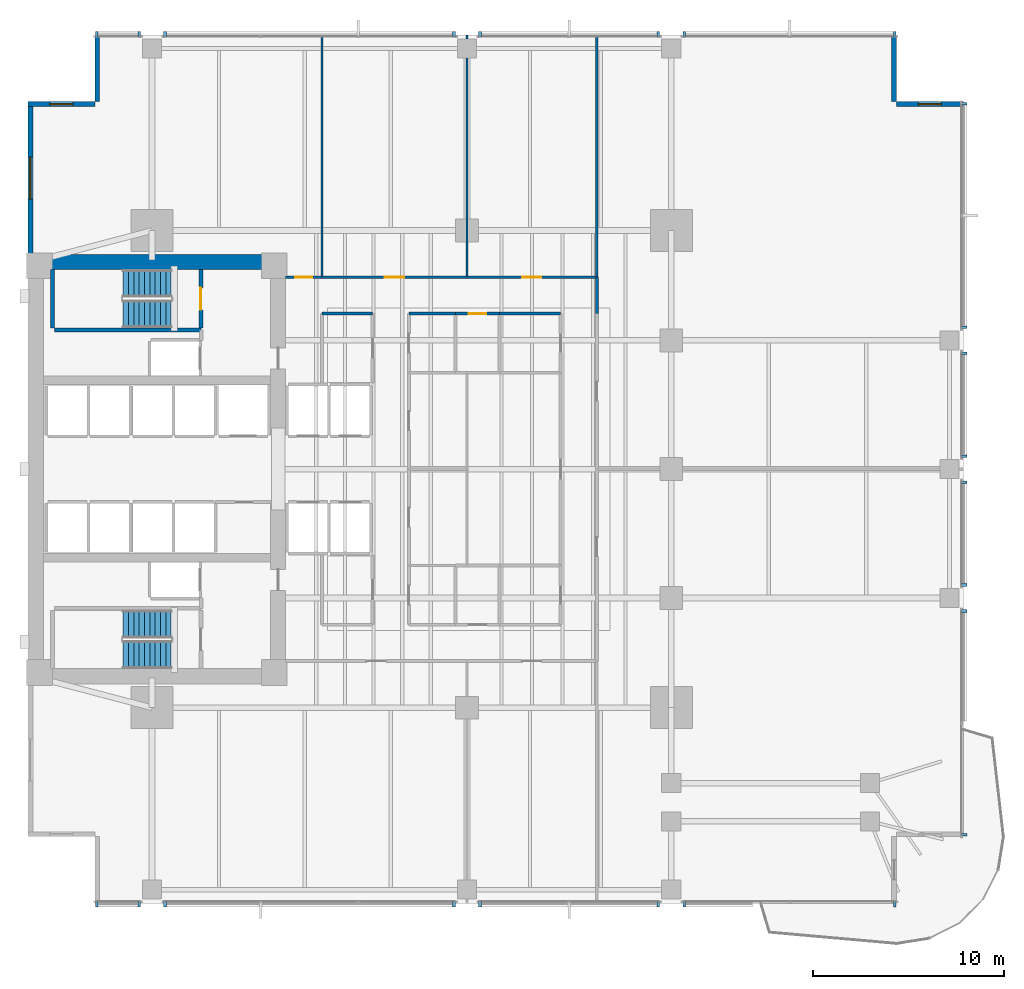
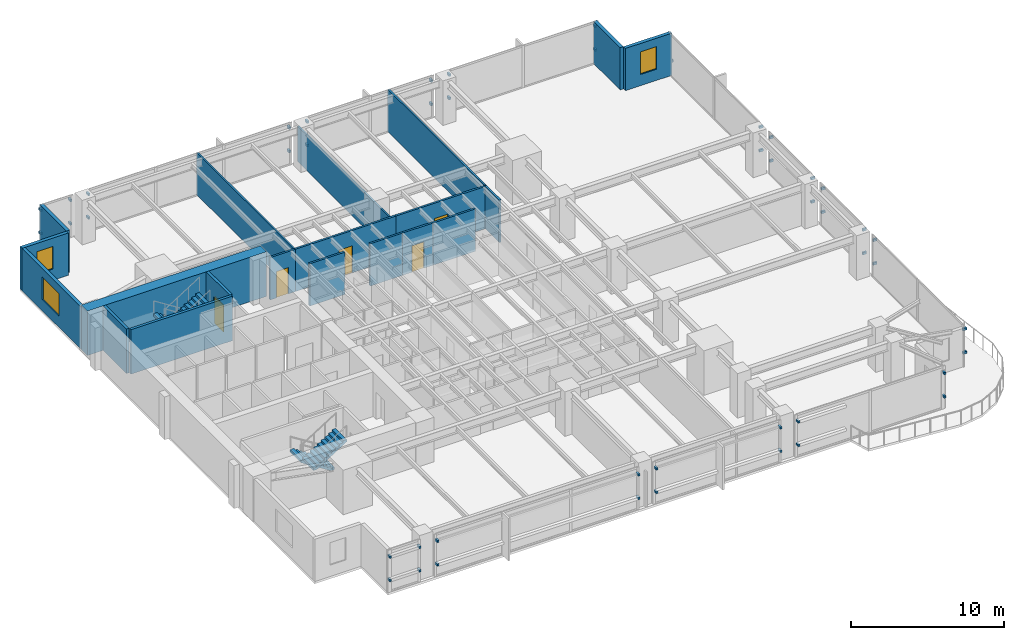
# One storey, part 10 of 15: 47 discrete accessories, 20 walls, 5 doors, 4 stair flights, 3 windows, 8 openings, 2 elements without a shape of their own.
"""IFC4 building model written with IfcOpenShell, lengths in metres."""

from ifc_helpers import new_model, si_unit, direction, frame, frame_2d, origin, origin_2d, place, context, subcontext, project, spatial, polyline, rectangle, outline, extrude, material, layer, layer_set, type_object, element, fill, aggregate, save


model = new_model("IFC4")

# Units and contexts
model_context = context("Model", 3, precision=1e-05, world=origin(), true_north=direction((0.0, 1.0)))
body_context = subcontext(model_context, "Body", "Model", "MODEL_VIEW")
ifc_project = project(units=[si_unit("LENGTHUNIT", "METRE"), si_unit("AREAUNIT", "SQUARE_METRE"), si_unit("VOLUMEUNIT", "CUBIC_METRE"), si_unit("PLANEANGLEUNIT", "RADIAN"), si_unit("MASSUNIT", "GRAM", prefix="KILO")], contexts=[model_context])

# Site, building, storey
site_placement = place(None, origin())
site = spatial("IfcSite", under=ifc_project, at=site_placement, CompositionType="ELEMENT")
building_placement = place(site_placement, origin())
building = spatial("IfcBuilding", under=site, at=building_placement, Name="Kinhvarn Gate Tower", CompositionType="ELEMENT")
storey_placement = place(building_placement, frame((0.0, 0.0, 39.800048828125)))
storey = spatial("IfcBuildingStorey", under=building, at=storey_placement, Name="L09", CompositionType="ELEMENT", Elevation=39.800048828125)

# Wall
ifc_material_1 = material(Name="Concrete C70/85", Category="concrete")
ifc_layer_1 = layer(ifc_material_1, 0.800048828125)
ifc_layer_set_1 = layer_set([ifc_layer_1], Name="Concrete C70/85")
wall_type_1 = type_object("IfcWallType", Name="WL-CORE-800", PredefinedType="SHEAR", material=ifc_layer_set_1)
wall_1_placement = place(storey_placement, frame((4.5, 36.10009765625, 0.0), z_axis=(0.0, 0.0, 1.0), x_axis=(1.0, 0.0, 0.0)))
element("IfcWall", 1, at=wall_1_placement, inside=storey, type_object=wall_type_1, Name="Core North Shear Wall L09 800 mm", PredefinedType="SHEAR", context=body_context, shape_type="SweptSolid", body=[
    extrude(rectangle(XDim=13.5, YDim=0.800048828125, at=frame_2d((6.75, 0.0))), origin(), (0.0, 0.0, 1.0), 3.550048828125),
])

# Wall, opening, window
ifc_material_2 = material(Name="Fired architectural terracotta", Category="masonry")
ifc_layer_2 = layer(ifc_material_2, 0.25)
ifc_layer_set_2 = layer_set([ifc_layer_2], Name="Fired architectural terracotta")
wall_type_2 = type_object("IfcWallType", Name="WL-EXT-250", PredefinedType="SOLIDWALL", material=ifc_layer_set_2)
wall_2_placement = place(storey_placement, frame((4.625, 44.5, 0.0), z_axis=(0.0, 0.0, 1.0), x_axis=(0.0, -1.0, 0.0)))
wall_2 = element("IfcWall", 2, at=wall_2_placement, inside=storey, type_object=wall_type_2, Name="Exterior Solidwall Wall EW-250 (L09 West-North)", PredefinedType="SOLIDWALL", context=body_context, shape_type="SweptSolid", body=[
    extrude(rectangle(XDim=8.0, YDim=0.25, at=frame_2d((4.0, 0.0))), origin(), (0.0, 0.0, 1.0), 3.369873046875),
])
opening_1_placement = place(wall_2_placement, frame((2.89990234375, 0.0, 0.89990234375)))
opening_1 = element("IfcOpeningElement", 3, at=opening_1_placement, cuts=wall_2, Name="Opening WN-01", PredefinedType="OPENING", context=body_context, shape_type="SweptSolid", body=[
    extrude(rectangle(XDim=2.199951171875, YDim=1.800048828125, at=frame_2d((1.10009765625, 0.89990234375))), frame((0.0, 0.135009765625, 0.0), z_axis=(0.0, -1.0, 0.0), x_axis=(1.0, 0.0, 0.0)), (0.0, 0.0, 1.0), 0.27001953125),
])
ifc_material_3 = material(Name="Clear low-e double glazing", Category="glass")
window_type_1 = type_object("IfcWindowType", Name="WIN-RIB-2200", PartitioningType="SINGLE_PANEL", PredefinedType="WINDOW", material=ifc_material_3)
window_1_placement = place(opening_1_placement, origin())
window_1 = element("IfcWindow", 4, at=window_1_placement, inside=storey, type_object=window_type_1, Name="West Flank Double-Glazed Ribbon Window 2200x1800 mm (L09)", OverallHeight=1.800048828125, OverallWidth=2.199951171875, PartitioningType="SINGLE_PANEL", PredefinedType="WINDOW", context=body_context, shape_type="SweptSolid", body=[
    extrude(rectangle(XDim=2.199951171875, YDim=1.800048828125, at=frame_2d((1.10009765625, 0.89990234375))), frame((0.0, 0.030029296875, 0.0), z_axis=(0.0, -1.0, 0.0), x_axis=(1.0, 0.0, 0.0)), (0.0, 0.0, 1.0), 0.06005859375),
])
fill(opening_1, window_1)

wall_3_placement = place(storey_placement, frame((53.5, 44.375, 0.0), z_axis=(0.0, 0.0, 1.0), x_axis=(-1.0, 0.0, 0.0)))
wall_3 = element("IfcWall", 5, at=wall_3_placement, inside=storey, type_object=wall_type_2, Name="Exterior Solidwall Wall EW-250 (L09 NE-Notch-1)", PredefinedType="SOLIDWALL", context=body_context, shape_type="SweptSolid", body=[
    extrude(rectangle(XDim=3.5, YDim=0.25, at=frame_2d((1.75, 0.0))), origin(), (0.0, 0.0, 1.0), 3.369873046875),
])
opening_2_placement = place(wall_3_placement, frame((1.14990234375, 0.0, 0.89990234375)))
opening_2 = element("IfcOpeningElement", 6, at=opening_2_placement, cuts=wall_3, Name="Opening WN-02", PredefinedType="OPENING", context=body_context, shape_type="SweptSolid", body=[
    extrude(rectangle(XDim=1.199951171875, YDim=1.800048828125, at=frame_2d((0.60009765625, 0.89990234375))), frame((0.0, 0.135009765625, 0.0), z_axis=(0.0, -1.0, 0.0), x_axis=(1.0, 0.0, 0.0)), (0.0, 0.0, 1.0), 0.27001953125),
])
window_type_2 = type_object("IfcWindowType", Name="WIN-NTC-1200", PartitioningType="SINGLE_PANEL", PredefinedType="WINDOW", material=ifc_material_3)
window_2_placement = place(opening_2_placement, origin())
window_2 = element("IfcWindow", 7, at=window_2_placement, inside=storey, type_object=window_type_2, Name="Recessed Corner Notch Punched Window 1200x1800 mm (L09)", OverallHeight=1.800048828125, OverallWidth=1.199951171875, PartitioningType="SINGLE_PANEL", PredefinedType="WINDOW", context=body_context, shape_type="SweptSolid", body=[
    extrude(rectangle(XDim=1.199951171875, YDim=1.800048828125, at=frame_2d((0.60009765625, 0.89990234375))), frame((0.0, 0.030029296875, 0.0), z_axis=(0.0, -1.0, 0.0), x_axis=(1.0, 0.0, 0.0)), (0.0, 0.0, 1.0), 0.06005859375),
])
fill(opening_2, window_2)

# Walls
for number, where, z_axis, x_axis, name in (
    (8, (49.875, 44.5, 0.0), (0.0, 0.0, 1.0), (0.0, 1.0, 0.0), "Exterior Solidwall Wall EW-250 (L09 NE-Notch-2)"),
    (9, (8.125, 48.0, 0.0), (0.0, 0.0, 1.0), (0.0, -1.0, 0.0), "Exterior Solidwall Wall EW-250 (L09 NW-Notch-1)"),
):
    element("IfcWall", number, at=place(storey_placement, frame(where, z_axis=z_axis, x_axis=x_axis)), inside=storey, type_object=wall_type_2, Name=name, PredefinedType="SOLIDWALL", context=body_context, shape_type="SweptSolid", body=[
        extrude(rectangle(XDim=3.5, YDim=0.25, at=frame_2d((1.75, 0.0))), origin(), (0.0, 0.0, 1.0), 3.369873046875),
    ])

# Wall, opening, window
wall_4_placement = place(storey_placement, frame((8.0, 44.375, 0.0), z_axis=(0.0, 0.0, 1.0), x_axis=(-1.0, 0.0, 0.0)))
wall_4 = element("IfcWall", 10, at=wall_4_placement, inside=storey, type_object=wall_type_2, Name="Exterior Solidwall Wall EW-250 (L09 NW-Notch-2)", PredefinedType="SOLIDWALL", context=body_context, shape_type="SweptSolid", body=[
    extrude(rectangle(XDim=3.5, YDim=0.25, at=frame_2d((1.75, 0.0))), origin(), (0.0, 0.0, 1.0), 3.369873046875),
])
opening_3_placement = place(wall_4_placement, frame((1.14990234375, 0.0, 0.89990234375)))
opening_3 = element("IfcOpeningElement", 11, at=opening_3_placement, cuts=wall_4, Name="Opening WN-02", PredefinedType="OPENING", context=body_context, shape_type="SweptSolid", body=[
    extrude(rectangle(XDim=1.199951171875, YDim=1.800048828125, at=frame_2d((0.60009765625, 0.89990234375))), frame((0.0, 0.135009765625, 0.0), z_axis=(0.0, -1.0, 0.0), x_axis=(1.0, 0.0, 0.0)), (0.0, 0.0, 1.0), 0.27001953125),
])
window_3_placement = place(opening_3_placement, origin())
window_3 = element("IfcWindow", 12, at=window_3_placement, inside=storey, type_object=window_type_2, Name="Recessed Corner Notch Punched Window 1200x1800 mm (L09)", OverallHeight=1.800048828125, OverallWidth=1.199951171875, PartitioningType="SINGLE_PANEL", PredefinedType="WINDOW", context=body_context, shape_type="SweptSolid", body=[
    extrude(rectangle(XDim=1.199951171875, YDim=1.800048828125, at=frame_2d((0.60009765625, 0.89990234375))), frame((0.0, 0.030029296875, 0.0), z_axis=(0.0, -1.0, 0.0), x_axis=(1.0, 0.0, 0.0)), (0.0, 0.0, 1.0), 0.06005859375),
])
fill(opening_3, window_3)

# Wall
ifc_material_4 = material(Name="Gypsum acoustic partition board")
ifc_layer_3 = layer(ifc_material_4, 0.14990234375)
ifc_layer_set_3 = layer_set([ifc_layer_3], Name="Gypsum acoustic partition board")
wall_type_3 = type_object("IfcWallType", Name="WL-PLM-150F", PredefinedType="PLUMBINGWALL", material=ifc_layer_set_3)
wall_5_placement = place(storey_placement, frame((29.199951171875, 33.39990234375, 0.0), z_axis=(0.0, 0.0, 1.0), x_axis=(1.0, 0.0, 0.0)))
element("IfcWall", 13, at=wall_5_placement, inside=storey, type_object=wall_type_3, Name="Interior Partition PLW-150F (L09)", PredefinedType="PLUMBINGWALL", context=body_context, shape_type="SweptSolid", body=[
    extrude(rectangle(XDim=3.199951171875, YDim=0.14990234375, at=frame_2d((1.60009765625, 0.0))), origin(), (0.0, 0.0, 1.0), 3.369873046875),
])

# Wall, opening, door
wall_6_placement = place(storey_placement, frame((26.89990234375, 33.39990234375, 0.0), z_axis=(0.0, 0.0, 1.0), x_axis=(1.0, 0.0, 0.0)))
wall_6 = element("IfcWall", 14, at=wall_6_placement, inside=storey, type_object=wall_type_3, Name="Interior Partition PLW-150F (L09)", PredefinedType="PLUMBINGWALL", context=body_context, shape_type="SweptSolid", body=[
    extrude(rectangle(XDim=2.300048828125, YDim=0.14990234375, at=frame_2d((1.14990234375, 0.0))), origin(), (0.0, 0.0, 1.0), 3.369873046875),
])
opening_4_placement = place(wall_6_placement, frame((0.699951171875, 0.0, 0.0)))
opening_4 = element("IfcOpeningElement", 15, at=opening_4_placement, cuts=wall_6, Name="Opening FD-04", PredefinedType="OPENING", context=body_context, shape_type="SweptSolid", body=[
    extrude(rectangle(XDim=0.89990234375, YDim=2.10009765625, at=frame_2d((0.449951171875, 1.050048828125))), frame((0.0, 0.0849609375, 0.0), z_axis=(0.0, -1.0, 0.0), x_axis=(1.0, 0.0, 0.0)), (0.0, 0.0, 1.0), 0.169921875),
])
ifc_material_5 = material(Name="Anodised aluminium AW-6063", Category="aluminium")
door_type_1 = type_object("IfcDoorType", Name="DR-FD-900", OperationType="NOTDEFINED", PredefinedType="DOOR", material=ifc_material_5)
door_1_placement = place(opening_4_placement, origin())
door_1 = element("IfcDoor", 16, at=door_1_placement, inside=storey, type_object=door_type_1, Name="Rated Riser & Service Closet Fire Door 900x2100 mm (L09)", OperationType="SINGLE_SWING_RIGHT", OverallHeight=2.10009765625, OverallWidth=0.89990234375, PredefinedType="DOOR", context=body_context, shape_type="SweptSolid", body=[
    extrude(rectangle(XDim=0.89990234375, YDim=2.10009765625, at=frame_2d((0.449951171875, 1.050048828125))), frame((0.0, 0.02490234375, 0.0), z_axis=(0.0, -1.0, 0.0), x_axis=(1.0, 0.0, 0.0)), (0.0, 0.0, 1.0), 0.050048828125),
])
fill(opening_4, door_1)

# Walls
ifc_layer_4 = layer(ifc_material_4, 0.1201171875)
ifc_layer_set_4 = layer_set([ifc_layer_4], Name="Gypsum acoustic partition board")
wall_type_4 = type_object("IfcWallType", Name="WL-PRT-120", PredefinedType="PARTITIONING", material=ifc_layer_set_4)
wall_7_placement = place(storey_placement, frame((19.89990234375, 35.300048828125, 0.0), z_axis=(0.0, 0.0, 1.0), x_axis=(0.0, 1.0, 0.0)))
element("IfcWall", 17, at=wall_7_placement, inside=storey, type_object=wall_type_4, Name="Interior Partition PW-120 (L09)", PredefinedType="PARTITIONING", context=body_context, shape_type="SweptSolid", body=[
    extrude(rectangle(XDim=12.68994140625, YDim=0.1201171875, at=frame_2d((6.344970703125, 0.0))), origin(), (0.0, 0.0, 1.0), 3.369873046875),
])
wall_8_placement = place(storey_placement, frame((27.5, 35.300048828125, 0.0), z_axis=(0.0, 0.0, 1.0), x_axis=(0.0, 1.0, 0.0)))
element("IfcWall", 18, at=wall_8_placement, inside=storey, type_object=wall_type_4, Name="Interior Partition PW-120 (L09)", PredefinedType="PARTITIONING", context=body_context, shape_type="SweptSolid", body=[
    extrude(rectangle(XDim=12.68994140625, YDim=0.1201171875, at=frame_2d((6.344970703125, 0.0))), origin(), (0.0, 0.0, 1.0), 2.820068359375),
])
wall_9_placement = place(storey_placement, frame((34.300048828125, 35.300048828125, 0.0), z_axis=(0.0, 0.0, 1.0), x_axis=(0.0, 1.0, 0.0)))
element("IfcWall", 19, at=wall_9_placement, inside=storey, type_object=wall_type_4, Name="Interior Partition PW-120 (L09)", PredefinedType="PARTITIONING", context=body_context, shape_type="SweptSolid", body=[
    extrude(rectangle(XDim=12.68994140625, YDim=0.1201171875, at=frame_2d((6.344970703125, 0.0))), origin(), (0.0, 0.0, 1.0), 3.369873046875),
])
ifc_layer_5 = layer(ifc_material_4, 0.14990234375)
ifc_layer_set_5 = layer_set([ifc_layer_5], Name="Gypsum acoustic partition board")
wall_type_5 = type_object("IfcWallType", Name="WL-PRT-150F", PredefinedType="PARTITIONING", material=ifc_layer_set_5)
wall_10_placement = place(storey_placement, frame((19.89990234375, 33.39990234375, 0.0), z_axis=(0.0, 0.0, 1.0), x_axis=(1.0, 0.0, 0.0)))
element("IfcWall", 20, at=wall_10_placement, inside=storey, type_object=wall_type_5, Name="Interior Partition PW-150F (L09)", PredefinedType="PARTITIONING", context=body_context, shape_type="SweptSolid", body=[
    extrude(rectangle(XDim=2.650146484375, YDim=0.14990234375, at=frame_2d((1.3251953125, 0.0))), origin(), (0.0, 0.0, 1.0), 3.369873046875),
])
wall_11_placement = place(storey_placement, frame((24.449951171875, 33.39990234375, 0.0), z_axis=(0.0, 0.0, 1.0), x_axis=(1.0, 0.0, 0.0)))
element("IfcWall", 21, at=wall_11_placement, inside=storey, type_object=wall_type_5, Name="Interior Partition PW-150F (L09)", PredefinedType="PARTITIONING", context=body_context, shape_type="SweptSolid", body=[
    extrude(rectangle(XDim=2.449951171875, YDim=0.14990234375, at=frame_2d((1.22509765625, 0.0))), origin(), (0.0, 0.0, 1.0), 3.369873046875),
])

# Wall, opening, door
wall_12_placement = place(storey_placement, frame((18.0, 35.300048828125, 0.0), z_axis=(0.0, 0.0, 1.0), x_axis=(1.0, 0.0, 0.0)))
wall_12 = element("IfcWall", 22, at=wall_12_placement, inside=storey, type_object=wall_type_5, Name="Interior Partition PW-150F (L09)", PredefinedType="PARTITIONING", context=body_context, shape_type="SweptSolid", body=[
    extrude(rectangle(XDim=1.89990234375, YDim=0.14990234375, at=frame_2d((0.949951171875, 0.0))), origin(), (0.0, 0.0, 1.0), 3.369873046875),
])
opening_5_placement = place(wall_12_placement, frame((0.5, 0.0, 0.0)))
opening_5 = element("IfcOpeningElement", 23, at=opening_5_placement, cuts=wall_12, Name="Opening ID-03", PredefinedType="OPENING", context=body_context, shape_type="SweptSolid", body=[
    extrude(rectangle(XDim=0.89990234375, YDim=2.10009765625, at=frame_2d((0.449951171875, 1.050048828125))), frame((0.0, 0.0849609375, 0.0), z_axis=(0.0, -1.0, 0.0), x_axis=(1.0, 0.0, 0.0)), (0.0, 0.0, 1.0), 0.169921875),
])
door_type_2 = type_object("IfcDoorType", Name="DR-INT-900", OperationType="NOTDEFINED", PredefinedType="DOOR", material=ifc_material_5)
door_2_placement = place(opening_5_placement, origin())
door_2 = element("IfcDoor", 24, at=door_2_placement, inside=storey, type_object=door_type_2, Name="Cellular Office & Restroom Door 900x2100 mm (L09)", OperationType="SINGLE_SWING_LEFT", OverallHeight=2.10009765625, OverallWidth=0.89990234375, PredefinedType="DOOR", context=body_context, shape_type="SweptSolid", body=[
    extrude(rectangle(XDim=0.89990234375, YDim=2.10009765625, at=frame_2d((0.449951171875, 1.050048828125))), frame((0.0, 0.02490234375, 0.0), z_axis=(0.0, -1.0, 0.0), x_axis=(1.0, 0.0, 0.0)), (0.0, 0.0, 1.0), 0.050048828125),
])
fill(opening_5, door_2)

wall_13_placement = place(storey_placement, frame((19.89990234375, 35.300048828125, 0.0), z_axis=(0.0, 0.0, 1.0), x_axis=(1.0, 0.0, 0.0)))
wall_13 = element("IfcWall", 25, at=wall_13_placement, inside=storey, type_object=wall_type_5, Name="Interior Partition PW-150F (L09)", PredefinedType="PARTITIONING", context=body_context, shape_type="SweptSolid", body=[
    extrude(rectangle(XDim=7.60009765625, YDim=0.14990234375, at=frame_2d((3.800048828125, 0.0))), origin(), (0.0, 0.0, 1.0), 3.369873046875),
])
opening_6_placement = place(wall_13_placement, frame((3.300048828125, 0.0, 0.0)))
opening_6 = element("IfcOpeningElement", 26, at=opening_6_placement, cuts=wall_13, Name="Opening ID-02", PredefinedType="OPENING", context=body_context, shape_type="SweptSolid", body=[
    extrude(rectangle(XDim=1.0, YDim=2.14990234375, at=frame_2d((0.5, 1.074951171875))), frame((0.0, 0.0849609375, 0.0), z_axis=(0.0, -1.0, 0.0), x_axis=(1.0, 0.0, 0.0)), (0.0, 0.0, 1.0), 0.169921875),
])
door_type_3 = type_object("IfcDoorType", Name="DR-INT-1000", OperationType="NOTDEFINED", PredefinedType="DOOR", material=ifc_material_5)
door_3_placement = place(opening_6_placement, origin())
door_3 = element("IfcDoor", 27, at=door_3_placement, inside=storey, type_object=door_type_3, Name="Standard Office & Meeting Room Door 1000x2150 mm (L09)", OperationType="SINGLE_SWING_RIGHT", OverallHeight=2.14990234375, OverallWidth=1.0, PredefinedType="DOOR", context=body_context, shape_type="SweptSolid", body=[
    extrude(rectangle(XDim=1.0, YDim=2.14990234375, at=frame_2d((0.5, 1.074951171875))), frame((0.0, 0.02490234375, 0.0), z_axis=(0.0, -1.0, 0.0), x_axis=(1.0, 0.0, 0.0)), (0.0, 0.0, 1.0), 0.050048828125),
])
fill(opening_6, door_3)

wall_14_placement = place(storey_placement, frame((27.5, 35.300048828125, 0.0), z_axis=(0.0, 0.0, 1.0), x_axis=(1.0, 0.0, 0.0)))
wall_14 = element("IfcWall", 28, at=wall_14_placement, inside=storey, type_object=wall_type_5, Name="Interior Partition PW-150F (L09)", PredefinedType="PARTITIONING", context=body_context, shape_type="SweptSolid", body=[
    extrude(rectangle(XDim=6.800048828125, YDim=0.14990234375, at=frame_2d((3.39990234375, 0.0))), origin(), (0.0, 0.0, 1.0), 3.369873046875),
])
opening_7_placement = place(wall_14_placement, frame((2.89990234375, 0.0, 0.0)))
opening_7 = element("IfcOpeningElement", 29, at=opening_7_placement, cuts=wall_14, Name="Opening ID-02", PredefinedType="OPENING", context=body_context, shape_type="SweptSolid", body=[
    extrude(rectangle(XDim=1.0, YDim=2.14990234375, at=frame_2d((0.5, 1.074951171875))), frame((0.0, 0.0849609375, 0.0), z_axis=(0.0, -1.0, 0.0), x_axis=(1.0, 0.0, 0.0)), (0.0, 0.0, 1.0), 0.169921875),
])
door_4_placement = place(opening_7_placement, origin())
door_4 = element("IfcDoor", 30, at=door_4_placement, inside=storey, type_object=door_type_3, Name="Standard Office & Meeting Room Door 1000x2150 mm (L09)", OperationType="SINGLE_SWING_LEFT", OverallHeight=2.14990234375, OverallWidth=1.0, PredefinedType="DOOR", context=body_context, shape_type="SweptSolid", body=[
    extrude(rectangle(XDim=1.0, YDim=2.14990234375, at=frame_2d((0.5, 1.074951171875))), frame((0.0, 0.02490234375, 0.0), z_axis=(0.0, -1.0, 0.0), x_axis=(1.0, 0.0, 0.0)), (0.0, 0.0, 1.0), 0.050048828125),
])
fill(opening_7, door_4)

# Walls
wall_15_placement = place(storey_placement, frame((34.300048828125, 33.39990234375, 0.0), z_axis=(0.0, 0.0, 1.0), x_axis=(0.0, 1.0, 0.0)))
element("IfcWall", 31, at=wall_15_placement, inside=storey, type_object=wall_type_5, Name="Interior Partition PW-150F (L09)", PredefinedType="PARTITIONING", context=body_context, shape_type="SweptSolid", body=[
    extrude(rectangle(XDim=1.900146484375, YDim=0.14990234375, at=frame_2d((0.9501953125, 0.0))), origin(), (0.0, 0.0, 1.0), 3.369873046875),
])
ifc_material_6 = material(Name="Concrete C40/50", Category="concrete")
ifc_layer_6 = layer(ifc_material_6, 0.199951171875)
ifc_layer_set_6 = layer_set([ifc_layer_6], Name="Concrete C40/50")
wall_type_6 = type_object("IfcWallType", Name="WL-SHF-200", PredefinedType="SOLIDWALL", material=ifc_layer_set_6)
wall_16_placement = place(storey_placement, frame((5.7900390625, 32.64990234375, 0.0), z_axis=(0.0, 0.0, 1.0), x_axis=(0.0, 1.0, 0.0)))
element("IfcWall", 32, at=wall_16_placement, inside=storey, type_object=wall_type_6, Name="Stair ST2 West Shaft Wall (L09)", PredefinedType="SOLIDWALL", context=body_context, shape_type="SweptSolid", body=[
    extrude(rectangle(XDim=3.050048828125, YDim=0.199951171875, at=frame_2d((1.52490234375, 0.0))), origin(), (0.0, 0.0, 1.0), 3.550048828125),
])
wall_17_placement = place(storey_placement, frame((5.89990234375, 32.5400390625, 0.0), z_axis=(0.0, 0.0, 1.0), x_axis=(1.0, 0.0, 0.0)))
element("IfcWall", 33, at=wall_17_placement, inside=storey, type_object=wall_type_6, Name="Stair ST2 South Shaft Wall (L09)", PredefinedType="SOLIDWALL", context=body_context, shape_type="SweptSolid", body=[
    extrude(rectangle(XDim=7.66015625, YDim=0.199951171875, at=frame_2d((3.830078125, 0.0))), origin(), (0.0, 0.0, 1.0), 3.550048828125),
])

# Wall, opening, door
wall_18_placement = place(storey_placement, frame((13.56005859375, 32.64990234375, 0.0), z_axis=(0.0, 0.0, 1.0), x_axis=(0.0, 1.0, 0.0)))
wall_18 = element("IfcWall", 34, at=wall_18_placement, inside=storey, type_object=wall_type_6, Name="Stair ST2 East Entry Wall (L09)", PredefinedType="SOLIDWALL", context=body_context, shape_type="SweptSolid", body=[
    extrude(rectangle(XDim=3.050048828125, YDim=0.199951171875, at=frame_2d((1.52490234375, 0.0))), origin(), (0.0, 0.0, 1.0), 3.550048828125),
])
opening_8_placement = place(wall_18_placement, frame((0.949951171875, 0.0, 0.0)))
opening_8 = element("IfcOpeningElement", 35, at=opening_8_placement, cuts=wall_18, Name="Opening FD-01", PredefinedType="OPENING", context=body_context, shape_type="SweptSolid", body=[
    extrude(rectangle(XDim=1.14990234375, YDim=2.14990234375, at=frame_2d((0.574951171875, 1.074951171875))), frame((0.0, 0.10986328125, 0.0), z_axis=(0.0, -1.0, 0.0), x_axis=(1.0, 0.0, 0.0)), (0.0, 0.0, 1.0), 0.219970703125),
])
door_type_4 = type_object("IfcDoorType", Name="DR-ST-1150", OperationType="NOTDEFINED", PredefinedType="DOOR", material=ifc_material_5)
door_5_placement = place(opening_8_placement, origin())
door_5 = element("IfcDoor", 36, at=door_5_placement, inside=storey, type_object=door_type_4, Name="Exit Stair ST2 Fire Door (L09)", OperationType="SINGLE_SWING_RIGHT", OverallHeight=2.14990234375, OverallWidth=1.14990234375, PredefinedType="DOOR", context=body_context, shape_type="SweptSolid", body=[
    extrude(rectangle(XDim=1.14990234375, YDim=2.14990234375, at=frame_2d((0.574951171875, 1.074951171875))), frame((0.0, 0.02490234375, 0.0), z_axis=(0.0, -1.0, 0.0), x_axis=(1.0, 0.0, 0.0)), (0.0, 0.0, 1.0), 0.050048828125),
])
fill(opening_8, door_5)

# Stair, stair flights
stair_type = type_object("IfcStairType", Name="STR-DLG-178", PredefinedType="HALF_TURN_STAIR", material=ifc_material_6)
stair_1_placement = place(storey_placement, origin())
stair_1 = element("IfcStair", 37, at=stair_1_placement, inside=storey, type_object=stair_type, Name="L09 Core Smokeproof Exit Stair ST1", PredefinedType="HALF_TURN_STAIR")
stair_flight_type = type_object("IfcStairFlightType", Name="STF-DLG-178", PredefinedType="STRAIGHT", material=ifc_material_6)
stair_flight_1_placement = place(storey_placement, frame((12.0, 17.125, 0.0), z_axis=(0.0, 0.0, 1.0), x_axis=(-1.0, 0.0, 0.0)))
stair_flight_1 = element("IfcStairFlight", 38, at=stair_flight_1_placement, type_object=stair_flight_type, Name="ST1 flight 1", NumberOfRisers=10, NumberOfTreads=9, PredefinedType="STRAIGHT", RiserHeight=0.1775, TreadLength=0.28, context=body_context, shape_type="SweptSolid", body=[
    extrude(outline(polyline([(0.0, 0.0), (0.0, 0.177490234375), (0.280029296875, 0.177490234375), (0.280029296875, 0.35498046875), (0.56005859375, 0.35498046875), (0.56005859375, 0.532470703125), (0.840087890625, 0.532470703125), (0.840087890625, 0.7099609375), (1.1201171875, 0.7099609375), (1.1201171875, 0.887451171875), (1.39990234375, 0.887451171875), (1.39990234375, 1.06494140625), (1.679931640625, 1.06494140625), (1.679931640625, 1.242431640625), (1.9599609375, 1.242431640625), (1.9599609375, 1.419921875), (2.239990234375, 1.419921875), (2.239990234375, 1.597412109375), (2.52001953125, 1.597412109375), (2.52001953125, 1.77490234375), (2.52001953125, 1.419921875), (0.280029296875, 0.0), (0.0, 0.0)])), frame((0.0, 0.72509765625, 0.0), z_axis=(0.0, -1.0, 0.0), x_axis=(1.0, 0.0, 0.0)), (0.0, 0.0, 1.0), 1.449951171875),
])
stair_flight_2_placement = place(storey_placement, frame((9.47998046875, 15.52490234375, 1.77490234375), z_axis=(0.0, 0.0, 1.0), x_axis=(1.0, 0.0, 0.0)))
stair_flight_2 = element("IfcStairFlight", 39, at=stair_flight_2_placement, type_object=stair_flight_type, Name="ST1 flight 2", NumberOfRisers=10, NumberOfTreads=9, PredefinedType="STRAIGHT", RiserHeight=0.1775, TreadLength=0.28, context=body_context, shape_type="SweptSolid", body=[
    extrude(outline(polyline([(0.0, 0.0), (0.0, 0.177490234375), (0.280029296875, 0.177490234375), (0.280029296875, 0.35498046875), (0.56005859375, 0.35498046875), (0.56005859375, 0.532470703125), (0.840087890625, 0.532470703125), (0.840087890625, 0.7099609375), (1.1201171875, 0.7099609375), (1.1201171875, 0.887451171875), (1.39990234375, 0.887451171875), (1.39990234375, 1.06494140625), (1.679931640625, 1.06494140625), (1.679931640625, 1.242431640625), (1.9599609375, 1.242431640625), (1.9599609375, 1.419921875), (2.239990234375, 1.419921875), (2.239990234375, 1.597412109375), (2.52001953125, 1.597412109375), (2.52001953125, 1.77490234375), (2.52001953125, 1.419921875), (0.280029296875, 0.0), (0.0, 0.0)])), frame((0.0, 0.72509765625, 0.0), z_axis=(0.0, -1.0, 0.0), x_axis=(1.0, 0.0, 0.0)), (0.0, 0.0, 1.0), 1.449951171875),
])
aggregate(stair_1, [stair_flight_1, stair_flight_2])

stair_2_placement = place(storey_placement, origin())
stair_2 = element("IfcStair", 40, at=stair_2_placement, inside=storey, type_object=stair_type, Name="L09 Core Smokeproof Exit Stair ST2", PredefinedType="HALF_TURN_STAIR")
stair_flight_3_placement = place(storey_placement, frame((12.0, 34.97509765625, 0.0), z_axis=(0.0, 0.0, 1.0), x_axis=(-1.0, 0.0, 0.0)))
stair_flight_3 = element("IfcStairFlight", 41, at=stair_flight_3_placement, type_object=stair_flight_type, Name="ST2 flight 1", NumberOfRisers=10, NumberOfTreads=9, PredefinedType="STRAIGHT", RiserHeight=0.1775, TreadLength=0.28, context=body_context, shape_type="SweptSolid", body=[
    extrude(outline(polyline([(0.0, 0.0), (0.0, 0.177490234375), (0.280029296875, 0.177490234375), (0.280029296875, 0.35498046875), (0.56005859375, 0.35498046875), (0.56005859375, 0.532470703125), (0.840087890625, 0.532470703125), (0.840087890625, 0.7099609375), (1.1201171875, 0.7099609375), (1.1201171875, 0.887451171875), (1.39990234375, 0.887451171875), (1.39990234375, 1.06494140625), (1.679931640625, 1.06494140625), (1.679931640625, 1.242431640625), (1.9599609375, 1.242431640625), (1.9599609375, 1.419921875), (2.239990234375, 1.419921875), (2.239990234375, 1.597412109375), (2.52001953125, 1.597412109375), (2.52001953125, 1.77490234375), (2.52001953125, 1.419921875), (0.280029296875, 0.0), (0.0, 0.0)])), frame((0.0, 0.72509765625, 0.0), z_axis=(0.0, -1.0, 0.0), x_axis=(1.0, 0.0, 0.0)), (0.0, 0.0, 1.0), 1.449951171875),
])
stair_flight_4_placement = place(storey_placement, frame((9.47998046875, 33.375, 1.77490234375), z_axis=(0.0, 0.0, 1.0), x_axis=(1.0, 0.0, 0.0)))
stair_flight_4 = element("IfcStairFlight", 42, at=stair_flight_4_placement, type_object=stair_flight_type, Name="ST2 flight 2", NumberOfRisers=10, NumberOfTreads=9, PredefinedType="STRAIGHT", RiserHeight=0.1775, TreadLength=0.28, context=body_context, shape_type="SweptSolid", body=[
    extrude(outline(polyline([(0.0, 0.0), (0.0, 0.177490234375), (0.280029296875, 0.177490234375), (0.280029296875, 0.35498046875), (0.56005859375, 0.35498046875), (0.56005859375, 0.532470703125), (0.840087890625, 0.532470703125), (0.840087890625, 0.7099609375), (1.1201171875, 0.7099609375), (1.1201171875, 0.887451171875), (1.39990234375, 0.887451171875), (1.39990234375, 1.06494140625), (1.679931640625, 1.06494140625), (1.679931640625, 1.242431640625), (1.9599609375, 1.242431640625), (1.9599609375, 1.419921875), (2.239990234375, 1.419921875), (2.239990234375, 1.597412109375), (2.52001953125, 1.597412109375), (2.52001953125, 1.77490234375), (2.52001953125, 1.419921875), (0.280029296875, 0.0), (0.0, 0.0)])), frame((0.0, 0.72509765625, 0.0), z_axis=(0.0, -1.0, 0.0), x_axis=(1.0, 0.0, 0.0)), (0.0, 0.0, 1.0), 1.449951171875),
])
aggregate(stair_2, [stair_flight_3, stair_flight_4])

# Discrete accessories
discrete_accessory_type = type_object("IfcDiscreteAccessoryType", Name="ACC-BRK-01", PredefinedType="BRACKET", material=ifc_material_5)
for number, where, z_axis, x_axis, name in (
    (43, (8.10009765625, 2.4599609375, 0.9599609375), (0.0, 0.0, 1.0), (1.0, 0.0, 0.0), "Baguette Support Bracket BK-01 (L09)"),
    (44, (8.10009765625, 2.4599609375, 2.830078125), (0.0, 0.0, 1.0), (1.0, 0.0, 0.0), "Baguette Support Bracket BK-01 (L09)"),
    (45, (10.320068359375, 2.4599609375, 0.9599609375), (0.0, 0.0, 1.0), (1.0, 0.0, 0.0), "Baguette Support Bracket BK-01 (L09)"),
    (46, (10.320068359375, 2.4599609375, 2.830078125), (0.0, 0.0, 1.0), (1.0, 0.0, 0.0), "Baguette Support Bracket BK-01 (L09)"),
    (47, (11.679931640625, 2.4599609375, 0.9599609375), (0.0, 0.0, 1.0), (1.0, 0.0, 0.0), "Baguette Support Bracket BK-01 (L09)"),
    (48, (11.679931640625, 2.4599609375, 2.830078125), (0.0, 0.0, 1.0), (1.0, 0.0, 0.0), "Baguette Support Bracket BK-01 (L09)"),
    (49, (26.820068359375, 2.4599609375, 0.9599609375), (0.0, 0.0, 1.0), (1.0, 0.0, 0.0), "Baguette Support Bracket BK-01 (L09)"),
    (50, (26.820068359375, 2.4599609375, 2.830078125), (0.0, 0.0, 1.0), (1.0, 0.0, 0.0), "Baguette Support Bracket BK-01 (L09)"),
    (51, (28.179931640625, 2.4599609375, 0.9599609375), (0.0, 0.0, 1.0), (1.0, 0.0, 0.0), "Baguette Support Bracket BK-01 (L09)"),
    (52, (28.179931640625, 2.4599609375, 2.830078125), (0.0, 0.0, 1.0), (1.0, 0.0, 0.0), "Baguette Support Bracket BK-01 (L09)"),
    (53, (37.52001953125, 2.4599609375, 0.9599609375), (0.0, 0.0, 1.0), (1.0, 0.0, 0.0), "Baguette Support Bracket BK-01 (L09)"),
    (54, (37.52001953125, 2.4599609375, 2.830078125), (0.0, 0.0, 1.0), (1.0, 0.0, 0.0), "Baguette Support Bracket BK-01 (L09)"),
    (55, (38.8798828125, 2.4599609375, 0.9599609375), (0.0, 0.0, 1.0), (1.0, 0.0, 0.0), "Baguette Support Bracket BK-01 (L09)"),
    (56, (38.8798828125, 2.4599609375, 2.830078125), (0.0, 0.0, 1.0), (1.0, 0.0, 0.0), "Baguette Support Bracket BK-01 (L09)"),
    (57, (49.89990234375, 2.4599609375, 0.9599609375), (0.0, 0.0, 1.0), (1.0, 0.0, 0.0), "Baguette Support Bracket BK-01 (L09)"),
    (58, (49.89990234375, 2.4599609375, 2.830078125), (0.0, 0.0, 1.0), (1.0, 0.0, 0.0), "Baguette Support Bracket BK-01 (L09)"),
    (59, (49.89990234375, 48.0400390625, 0.9599609375), (0.0, 0.0, 1.0), (-1.0, 0.0, 0.0), "Baguette Support Bracket BK-01 (L09)"),
    (60, (49.89990234375, 48.0400390625, 2.830078125), (0.0, 0.0, 1.0), (-1.0, 0.0, 0.0), "Baguette Support Bracket BK-01 (L09)"),
    (61, (38.8798828125, 48.0400390625, 0.9599609375), (0.0, 0.0, 1.0), (-1.0, 0.0, 0.0), "Baguette Support Bracket BK-01 (L09)"),
    (62, (38.8798828125, 48.0400390625, 2.830078125), (0.0, 0.0, 1.0), (-1.0, 0.0, 0.0), "Baguette Support Bracket BK-01 (L09)"),
    (63, (37.52001953125, 48.0400390625, 0.9599609375), (0.0, 0.0, 1.0), (-1.0, 0.0, 0.0), "Baguette Support Bracket BK-01 (L09)"),
    (64, (37.52001953125, 48.0400390625, 2.830078125), (0.0, 0.0, 1.0), (-1.0, 0.0, 0.0), "Baguette Support Bracket BK-01 (L09)"),
    (65, (28.179931640625, 48.0400390625, 0.9599609375), (0.0, 0.0, 1.0), (-1.0, 0.0, 0.0), "Baguette Support Bracket BK-01 (L09)"),
    (66, (28.179931640625, 48.0400390625, 2.830078125), (0.0, 0.0, 1.0), (-1.0, 0.0, 0.0), "Baguette Support Bracket BK-01 (L09)"),
    (67, (26.820068359375, 48.0400390625, 0.9599609375), (0.0, 0.0, 1.0), (-1.0, 0.0, 0.0), "Baguette Support Bracket BK-01 (L09)"),
    (68, (26.820068359375, 48.0400390625, 2.830078125), (0.0, 0.0, 1.0), (-1.0, 0.0, 0.0), "Baguette Support Bracket BK-01 (L09)"),
    (69, (11.679931640625, 48.0400390625, 0.9599609375), (0.0, 0.0, 1.0), (-1.0, 0.0, 0.0), "Baguette Support Bracket BK-01 (L09)"),
    (70, (11.679931640625, 48.0400390625, 2.830078125), (0.0, 0.0, 1.0), (-1.0, 0.0, 0.0), "Baguette Support Bracket BK-01 (L09)"),
    (71, (10.320068359375, 48.0400390625, 0.9599609375), (0.0, 0.0, 1.0), (-1.0, 0.0, 0.0), "Baguette Support Bracket BK-01 (L09)"),
    (72, (10.320068359375, 48.0400390625, 2.830078125), (0.0, 0.0, 1.0), (-1.0, 0.0, 0.0), "Baguette Support Bracket BK-01 (L09)"),
    (73, (8.10009765625, 48.0400390625, 0.9599609375), (0.0, 0.0, 1.0), (-1.0, 0.0, 0.0), "Baguette Support Bracket BK-01 (L09)"),
    (74, (8.10009765625, 48.0400390625, 2.830078125), (0.0, 0.0, 1.0), (-1.0, 0.0, 0.0), "Baguette Support Bracket BK-01 (L09)"),
    (75, (53.5400390625, 6.10009765625, 0.9599609375), (0.0, 0.0, 1.0), (0.0, 1.0, 0.0), "Baguette Support Bracket BK-01 (L09)"),
    (76, (53.5400390625, 6.10009765625, 2.830078125), (0.0, 0.0, 1.0), (0.0, 1.0, 0.0), "Baguette Support Bracket BK-01 (L09)"),
    (77, (53.5400390625, 17.820068359375, 0.9599609375), (0.0, 0.0, 1.0), (0.0, 1.0, 0.0), "Baguette Support Bracket BK-01 (L09)"),
    (78, (53.5400390625, 17.820068359375, 2.830078125), (0.0, 0.0, 1.0), (0.0, 1.0, 0.0), "Baguette Support Bracket BK-01 (L09)"),
    (79, (53.5400390625, 19.179931640625, 0.9599609375), (0.0, 0.0, 1.0), (0.0, 1.0, 0.0), "Baguette Support Bracket BK-01 (L09)"),
    (80, (53.5400390625, 19.179931640625, 2.830078125), (0.0, 0.0, 1.0), (0.0, 1.0, 0.0), "Baguette Support Bracket BK-01 (L09)"),
    (81, (53.5400390625, 24.570068359375, 0.9599609375), (0.0, 0.0, 1.0), (0.0, 1.0, 0.0), "Baguette Support Bracket BK-01 (L09)"),
    (82, (53.5400390625, 24.570068359375, 2.830078125), (0.0, 0.0, 1.0), (0.0, 1.0, 0.0), "Baguette Support Bracket BK-01 (L09)"),
    (83, (53.5400390625, 25.929931640625, 0.9599609375), (0.0, 0.0, 1.0), (0.0, 1.0, 0.0), "Baguette Support Bracket BK-01 (L09)"),
    (84, (53.5400390625, 25.929931640625, 2.830078125), (0.0, 0.0, 1.0), (0.0, 1.0, 0.0), "Baguette Support Bracket BK-01 (L09)"),
    (85, (53.5400390625, 31.320068359375, 0.9599609375), (0.0, 0.0, 1.0), (0.0, 1.0, 0.0), "Baguette Support Bracket BK-01 (L09)"),
    (86, (53.5400390625, 31.320068359375, 2.830078125), (0.0, 0.0, 1.0), (0.0, 1.0, 0.0), "Baguette Support Bracket BK-01 (L09)"),
    (87, (53.5400390625, 32.679931640625, 0.9599609375), (0.0, 0.0, 1.0), (0.0, 1.0, 0.0), "Baguette Support Bracket BK-01 (L09)"),
    (88, (53.5400390625, 32.679931640625, 2.830078125), (0.0, 0.0, 1.0), (0.0, 1.0, 0.0), "Baguette Support Bracket BK-01 (L09)"),
    (89, (53.5400390625, 44.39990234375, 0.9599609375), (0.0, 0.0, 1.0), (0.0, 1.0, 0.0), "Baguette Support Bracket BK-01 (L09)"),
):
    element("IfcDiscreteAccessory", number, at=place(storey_placement, frame(where, z_axis=z_axis, x_axis=x_axis)), inside=storey, type_object=discrete_accessory_type, Name=name, PredefinedType="BRACKET", context=body_context, shape_type="SweptSolid", body=[
        extrude(rectangle(XDim=0.139892578125, YDim=0.280029296875, at=origin_2d()), origin(), (0.0, 0.0, 1.0), 0.179931640625),
    ])

save(model, "model.ifc")
